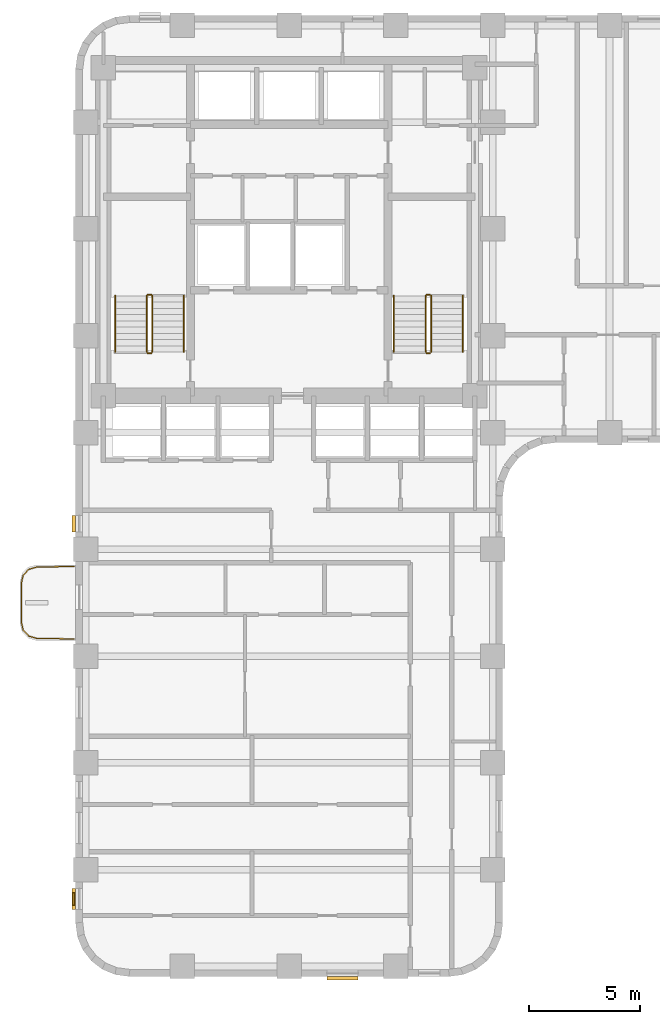
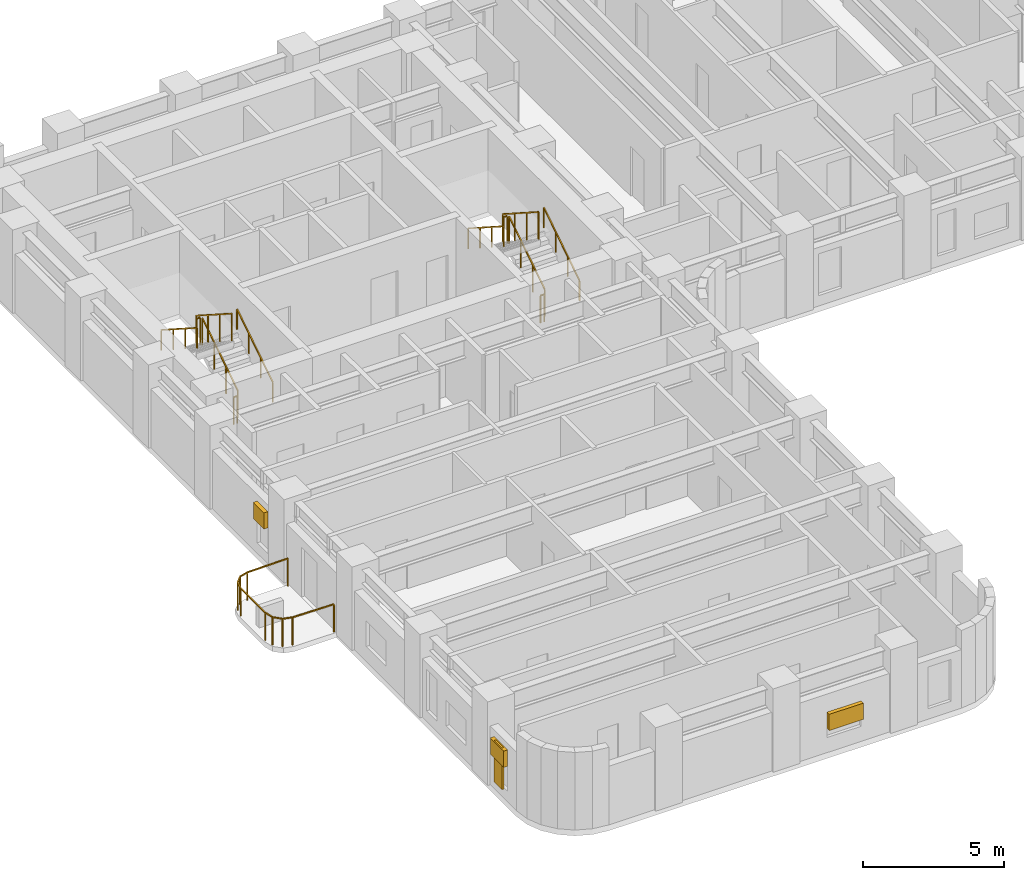
# One storey, part 9 of 11: 13 railings, 4 shading devices.
"""IFC4 building model written with IfcOpenShell, lengths in metres."""

from ifc_helpers import new_model, si_unit, direction, frame, origin, origin_2d, place, context, subcontext, project, spatial, rectangle, extrude, material, type_object, element, save


model = new_model("IFC4")

# Units and contexts
model_context = context("Model", 3, precision=1e-05, world=origin(), true_north=direction((0.0, 1.0)))
body_context = subcontext(model_context, "Body", "Model", "MODEL_VIEW")
ifc_project = project(units=[si_unit("LENGTHUNIT", "METRE"), si_unit("AREAUNIT", "SQUARE_METRE"), si_unit("VOLUMEUNIT", "CUBIC_METRE"), si_unit("PLANEANGLEUNIT", "RADIAN"), si_unit("MASSUNIT", "GRAM", prefix="KILO")], contexts=[model_context])

# Site, building, storey
site_placement = place(None, origin())
site = spatial("IfcSite", under=ifc_project, at=site_placement, CompositionType="ELEMENT")
building_placement = place(site_placement, origin())
building = spatial("IfcBuilding", under=site, at=building_placement, Name="Orvandelia Arch Residences", CompositionType="ELEMENT")
storey_placement = place(building_placement, frame((0.0, 0.0, 82.60009765625)))
storey = spatial("IfcBuildingStorey", under=building, at=storey_placement, Name="L21", CompositionType="ELEMENT", Elevation=82.60009765625)

# Railings
ifc_material_1 = material(Name="Marine-Grade Stainless Steel 316", Category="steel")
railing_type_1 = type_object("IfcRailingType", Name="GRD-BAL-1200", PredefinedType="BALUSTRADE", material=ifc_material_1)
railing_1_placement = place(storey_placement, frame((4.728271484375, 23.23046875, 0.0)))
element("IfcRailing", 1, at=railing_1_placement, inside=storey, type_object=railing_type_1, Name="Safety Balustrade Guard GRD-L21-BAL-L21-W1-1", PredefinedType="BALUSTRADE", context=body_context, shape_type="SweptSolid", body=[
    extrude(rectangle(XDim=0.048095703125, YDim=0.048095703125, at=origin_2d()), frame((0.0, 0.0, 1.19580078125), z_axis=(-0.999834751713, -0.018178813668, 0.0), x_axis=(0.018178813668, -0.999834751713, 0.0)), (0.0, 0.0, 1.0), 1.6787109375),
    extrude(rectangle(XDim=0.048095703125, YDim=0.048095703125, at=origin_2d()), frame((-1.678466796875, -0.030517578125, 1.19580078125), z_axis=(-0.96348920644, -0.267747173792, 0.0), x_axis=(0.267747173792, -0.96348920644, 0.0)), (0.0, 0.0, 1.0), 0.36572265625),
    extrude(rectangle(XDim=0.048095703125, YDim=0.048095703125, at=origin_2d()), frame((-2.03076171875, -0.12841796875, 1.19580078125), z_axis=(-0.688627404251, -0.725115368831, 0.0), x_axis=(0.725115368831, -0.688627404251, 0.0)), (0.0, 0.0, 1.0), 0.367919921875),
    extrude(rectangle(XDim=0.048095703125, YDim=0.048095703125, at=origin_2d()), frame((-2.2841796875, -0.395263671875, 1.19580078125), z_axis=(-0.220461657419, -0.975395641577, 0.0), x_axis=(0.975395641577, -0.220461657419, 0.0)), (0.0, 0.0, 1.0), 0.373291015625),
    extrude(rectangle(XDim=0.048095703125, YDim=0.048095703125, at=origin_2d()), frame((-2.366455078125, -0.75927734375, 1.19580078125), z_axis=(0.0, -1.0, 0.0), x_axis=(1.0, 0.0, 0.0)), (0.0, 0.0, 1.0), 1.742431640625),
    extrude(rectangle(XDim=0.048095703125, YDim=0.048095703125, at=origin_2d()), frame((-2.366455078125, -2.501708984375, 1.19580078125), z_axis=(0.220602419982, -0.975363815352, 0.0), x_axis=(0.975363815352, 0.220602419982, 0.0)), (0.0, 0.0, 1.0), 0.373046875),
    extrude(rectangle(XDim=0.048095703125, YDim=0.048095703125, at=origin_2d()), frame((-2.2841796875, -2.865478515625, 1.19580078125), z_axis=(0.688296224633, -0.725429739642, 0.0), x_axis=(0.725429739642, 0.688296224633, 0.0)), (0.0, 0.0, 1.0), 0.3681640625),
    extrude(rectangle(XDim=0.048095703125, YDim=0.048095703125, at=origin_2d()), frame((-2.03076171875, -3.132568359375, 1.19580078125), z_axis=(0.96348920644, -0.267747173792, 0.0), x_axis=(0.267747173792, 0.96348920644, 0.0)), (0.0, 0.0, 1.0), 0.36572265625),
    extrude(rectangle(XDim=0.048095703125, YDim=0.048095703125, at=origin_2d()), frame((-1.678466796875, -3.23046875, 1.19580078125), z_axis=(0.999834751713, -0.018178813668, 0.0), x_axis=(0.018178813668, 0.999834751713, 0.0)), (0.0, 0.0, 1.0), 1.6787109375),
    extrude(rectangle(XDim=0.0419921875, YDim=0.0419921875, at=origin_2d()), origin(), (0.0, 0.0, 1.0), 1.171875),
    extrude(rectangle(XDim=0.0419921875, YDim=0.0419921875, at=origin_2d()), frame((-1.678466796875, -0.030517578125, 0.0)), (0.0, 0.0, 1.0), 1.171875),
    extrude(rectangle(XDim=0.0419921875, YDim=0.0419921875, at=origin_2d()), frame((-2.03076171875, -0.12841796875, 0.0)), (0.0, 0.0, 1.0), 1.171875),
    extrude(rectangle(XDim=0.0419921875, YDim=0.0419921875, at=origin_2d()), frame((-2.2841796875, -0.395263671875, 0.0)), (0.0, 0.0, 1.0), 1.171875),
    extrude(rectangle(XDim=0.0419921875, YDim=0.0419921875, at=origin_2d()), frame((-2.366455078125, -0.75927734375, 0.0)), (0.0, 0.0, 1.0), 1.171875),
    extrude(rectangle(XDim=0.0419921875, YDim=0.0419921875, at=origin_2d()), frame((-2.366455078125, -2.501708984375, 0.0)), (0.0, 0.0, 1.0), 1.171875),
    extrude(rectangle(XDim=0.0419921875, YDim=0.0419921875, at=origin_2d()), frame((-2.2841796875, -2.865478515625, 0.0)), (0.0, 0.0, 1.0), 1.171875),
    extrude(rectangle(XDim=0.0419921875, YDim=0.0419921875, at=origin_2d()), frame((-2.03076171875, -3.132568359375, 0.0)), (0.0, 0.0, 1.0), 1.171875),
    extrude(rectangle(XDim=0.0419921875, YDim=0.0419921875, at=origin_2d()), frame((-1.678466796875, -3.23046875, 0.0)), (0.0, 0.0, 1.0), 1.171875),
    extrude(rectangle(XDim=0.0419921875, YDim=0.0419921875, at=origin_2d()), frame((0.0, -3.260986328125, 0.0)), (0.0, 0.0, 1.0), 1.171875),
])
ifc_material_2 = material(Name="Brushed Stainless Steel 304", Category="steel")
railing_type_2 = type_object("IfcRailingType", Name="RL-STAIR-GD1120", PredefinedType="GUARDRAIL", material=ifc_material_2)
railing_2_placement = place(storey_placement, frame((8.25, 32.8701171875, 0.179931640625)))
element("IfcRailing", 2, at=railing_2_placement, inside=storey, type_object=railing_type_2, Name="L21 ST-1 stair guard 1", PredefinedType="GUARDRAIL", context=body_context, shape_type="SweptSolid", body=[
    extrude(rectangle(XDim=0.048095703125, YDim=0.048095703125, at=origin_2d()), frame((0.0, 0.0, 1.17578125), z_axis=(0.0, 0.841175827307, 0.540761710511), x_axis=(-1.0, 0.0, 0.0)), (0.0, 0.0, 1.0), 2.99560546875),
    extrude(rectangle(XDim=0.0419921875, YDim=0.0419921875, at=origin_2d()), origin(), (0.0, 0.0, 1.0), 1.15185546875),
    extrude(rectangle(XDim=0.0419921875, YDim=0.0419921875, at=origin_2d()), frame((0.0, 0.83984375, 0.5400390625)), (0.0, 0.0, 1.0), 1.15185546875),
    extrude(rectangle(XDim=0.0419921875, YDim=0.0419921875, at=origin_2d()), frame((0.0, 1.679931640625, 1.079833984375)), (0.0, 0.0, 1.0), 1.15185546875),
    extrude(rectangle(XDim=0.0419921875, YDim=0.0419921875, at=origin_2d()), frame((0.0, 2.519775390625, 1.619873046875)), (0.0, 0.0, 1.0), 1.15185546875),
])
railing_3_placement = place(storey_placement, frame((8.199951171875, 35.43994140625, 1.7998046875)))
element("IfcRailing", 3, at=railing_3_placement, inside=storey, type_object=railing_type_2, Name="L21 ST-1 stair guard 2", PredefinedType="GUARDRAIL", context=body_context, shape_type="SweptSolid", body=[
    extrude(rectangle(XDim=0.048095703125, YDim=0.048095703125, at=origin_2d()), frame((0.0, 0.0, 1.17578125), z_axis=(-1.0, 0.0, 0.0), x_axis=(0.0, -1.0, 0.0)), (0.0, 0.0, 1.0), 0.14990234375),
    extrude(rectangle(XDim=0.0419921875, YDim=0.0419921875, at=origin_2d()), origin(), (0.0, 0.0, 1.0), 1.15185546875),
    extrude(rectangle(XDim=0.0419921875, YDim=0.0419921875, at=origin_2d()), frame((-0.14990234375, 0.0, 0.0)), (0.0, 0.0, 1.0), 1.15185546875),
])
railing_4_placement = place(storey_placement, frame((8.0, 35.389892578125, 1.97998046875)))
element("IfcRailing", 4, at=railing_4_placement, inside=storey, type_object=railing_type_2, Name="L21 ST-1 stair guard 3", PredefinedType="GUARDRAIL", context=body_context, shape_type="SweptSolid", body=[
    extrude(rectangle(XDim=0.048095703125, YDim=0.048095703125, at=origin_2d()), frame((0.0, 0.0, 1.17578125), z_axis=(0.0, -0.841175827307, 0.540761710511), x_axis=(1.0, 0.0, 0.0)), (0.0, 0.0, 1.0), 2.99560546875),
    extrude(rectangle(XDim=0.0419921875, YDim=0.0419921875, at=origin_2d()), origin(), (0.0, 0.0, 1.0), 1.15185546875),
    extrude(rectangle(XDim=0.0419921875, YDim=0.0419921875, at=origin_2d()), frame((0.0, -0.83984375, 0.5400390625)), (0.0, 0.0, 1.0), 1.15185546875),
    extrude(rectangle(XDim=0.0419921875, YDim=0.0419921875, at=origin_2d()), frame((0.0, -1.679931640625, 1.079833984375)), (0.0, 0.0, 1.0), 1.15185546875),
    extrude(rectangle(XDim=0.0419921875, YDim=0.0419921875, at=origin_2d()), frame((0.0, -2.519775390625, 1.619873046875)), (0.0, 0.0, 1.0), 1.15185546875),
])
railing_5_placement = place(storey_placement, frame((8.199951171875, 32.820068359375, 0.0)))
element("IfcRailing", 5, at=railing_5_placement, inside=storey, type_object=railing_type_2, Name="L21 ST-1 stair guard 4", PredefinedType="GUARDRAIL", context=body_context, shape_type="SweptSolid", body=[
    extrude(rectangle(XDim=0.048095703125, YDim=0.048095703125, at=origin_2d()), frame((0.0, 0.0, 1.17578125), z_axis=(-1.0, 0.0, 0.0), x_axis=(0.0, -1.0, 0.0)), (0.0, 0.0, 1.0), 0.14990234375),
    extrude(rectangle(XDim=0.0419921875, YDim=0.0419921875, at=origin_2d()), origin(), (0.0, 0.0, 1.0), 1.15185546875),
    extrude(rectangle(XDim=0.0419921875, YDim=0.0419921875, at=origin_2d()), frame((-0.14990234375, 0.0, 0.0)), (0.0, 0.0, 1.0), 1.15185546875),
])
railing_6_placement = place(storey_placement, frame((20.780029296875, 32.8701171875, 0.179931640625)))
element("IfcRailing", 6, at=railing_6_placement, inside=storey, type_object=railing_type_2, Name="L21 ST-2 stair guard 1", PredefinedType="GUARDRAIL", context=body_context, shape_type="SweptSolid", body=[
    extrude(rectangle(XDim=0.048095703125, YDim=0.048095703125, at=origin_2d()), frame((0.0, 0.0, 1.17578125), z_axis=(0.0, 0.841175827307, 0.540761710511), x_axis=(-1.0, 0.0, 0.0)), (0.0, 0.0, 1.0), 2.99560546875),
    extrude(rectangle(XDim=0.0419921875, YDim=0.0419921875, at=origin_2d()), origin(), (0.0, 0.0, 1.0), 1.15185546875),
    extrude(rectangle(XDim=0.0419921875, YDim=0.0419921875, at=origin_2d()), frame((0.0, 0.83984375, 0.5400390625)), (0.0, 0.0, 1.0), 1.15185546875),
    extrude(rectangle(XDim=0.0419921875, YDim=0.0419921875, at=origin_2d()), frame((0.0, 1.679931640625, 1.079833984375)), (0.0, 0.0, 1.0), 1.15185546875),
    extrude(rectangle(XDim=0.0419921875, YDim=0.0419921875, at=origin_2d()), frame((0.0, 2.519775390625, 1.619873046875)), (0.0, 0.0, 1.0), 1.15185546875),
])
railing_7_placement = place(storey_placement, frame((20.72998046875, 35.43994140625, 1.7998046875)))
element("IfcRailing", 7, at=railing_7_placement, inside=storey, type_object=railing_type_2, Name="L21 ST-2 stair guard 2", PredefinedType="GUARDRAIL", context=body_context, shape_type="SweptSolid", body=[
    extrude(rectangle(XDim=0.048095703125, YDim=0.048095703125, at=origin_2d()), frame((0.0, 0.0, 1.17578125), z_axis=(-1.0, 0.0, 0.0), x_axis=(0.0, -1.0, 0.0)), (0.0, 0.0, 1.0), 0.14990234375),
    extrude(rectangle(XDim=0.0419921875, YDim=0.0419921875, at=origin_2d()), origin(), (0.0, 0.0, 1.0), 1.15185546875),
    extrude(rectangle(XDim=0.0419921875, YDim=0.0419921875, at=origin_2d()), frame((-0.14990234375, 0.0, 0.0)), (0.0, 0.0, 1.0), 1.15185546875),
])
railing_8_placement = place(storey_placement, frame((20.530029296875, 35.389892578125, 1.97998046875)))
element("IfcRailing", 8, at=railing_8_placement, inside=storey, type_object=railing_type_2, Name="L21 ST-2 stair guard 3", PredefinedType="GUARDRAIL", context=body_context, shape_type="SweptSolid", body=[
    extrude(rectangle(XDim=0.048095703125, YDim=0.048095703125, at=origin_2d()), frame((0.0, 0.0, 1.17578125), z_axis=(0.0, -0.841175827307, 0.540761710511), x_axis=(1.0, 0.0, 0.0)), (0.0, 0.0, 1.0), 2.99560546875),
    extrude(rectangle(XDim=0.0419921875, YDim=0.0419921875, at=origin_2d()), origin(), (0.0, 0.0, 1.0), 1.15185546875),
    extrude(rectangle(XDim=0.0419921875, YDim=0.0419921875, at=origin_2d()), frame((0.0, -0.83984375, 0.5400390625)), (0.0, 0.0, 1.0), 1.15185546875),
    extrude(rectangle(XDim=0.0419921875, YDim=0.0419921875, at=origin_2d()), frame((0.0, -1.679931640625, 1.079833984375)), (0.0, 0.0, 1.0), 1.15185546875),
    extrude(rectangle(XDim=0.0419921875, YDim=0.0419921875, at=origin_2d()), frame((0.0, -2.519775390625, 1.619873046875)), (0.0, 0.0, 1.0), 1.15185546875),
])
railing_9_placement = place(storey_placement, frame((20.72998046875, 32.820068359375, 0.0)))
element("IfcRailing", 9, at=railing_9_placement, inside=storey, type_object=railing_type_2, Name="L21 ST-2 stair guard 4", PredefinedType="GUARDRAIL", context=body_context, shape_type="SweptSolid", body=[
    extrude(rectangle(XDim=0.048095703125, YDim=0.048095703125, at=origin_2d()), frame((0.0, 0.0, 1.17578125), z_axis=(-1.0, 0.0, 0.0), x_axis=(0.0, -1.0, 0.0)), (0.0, 0.0, 1.0), 0.14990234375),
    extrude(rectangle(XDim=0.0419921875, YDim=0.0419921875, at=origin_2d()), origin(), (0.0, 0.0, 1.0), 1.15185546875),
    extrude(rectangle(XDim=0.0419921875, YDim=0.0419921875, at=origin_2d()), frame((-0.14990234375, 0.0, 0.0)), (0.0, 0.0, 1.0), 1.15185546875),
])
railing_type_3 = type_object("IfcRailingType", Name="RL-STAIR-HR920", PredefinedType="HANDRAIL", material=ifc_material_2)
railing_10_placement = place(storey_placement, frame((9.669921875, 32.8701171875, 0.35986328125)))
element("IfcRailing", 10, at=railing_10_placement, inside=storey, type_object=railing_type_3, Name="L21 ST-1 stair handrail 1", PredefinedType="HANDRAIL", context=body_context, shape_type="SweptSolid", body=[
    extrude(rectangle(XDim=0.048095703125, YDim=0.048095703125, at=origin_2d()), frame((0.0, 0.0, 0.8759765625), z_axis=(0.0, 0.841138753965, 0.540819375188), x_axis=(-1.0, 0.0, 0.0)), (0.0, 0.0, 1.0), 2.99560546875),
    extrude(rectangle(XDim=0.0419921875, YDim=0.0419921875, at=origin_2d()), origin(), (0.0, 0.0, 1.0), 0.851806640625),
    extrude(rectangle(XDim=0.0419921875, YDim=0.0419921875, at=origin_2d()), frame((0.0, 0.83984375, 0.5400390625)), (0.0, 0.0, 1.0), 0.851806640625),
    extrude(rectangle(XDim=0.0419921875, YDim=0.0419921875, at=origin_2d()), frame((0.0, 1.679931640625, 1.080078125)), (0.0, 0.0, 1.0), 0.851806640625),
    extrude(rectangle(XDim=0.0419921875, YDim=0.0419921875, at=origin_2d()), frame((0.0, 2.519775390625, 1.6201171875)), (0.0, 0.0, 1.0), 0.851806640625),
])
railing_11_placement = place(storey_placement, frame((6.580078125, 35.389892578125, 2.159912109375)))
element("IfcRailing", 11, at=railing_11_placement, inside=storey, type_object=railing_type_3, Name="L21 ST-1 stair handrail 2", PredefinedType="HANDRAIL", context=body_context, shape_type="SweptSolid", body=[
    extrude(rectangle(XDim=0.048095703125, YDim=0.048095703125, at=origin_2d()), frame((0.0, 0.0, 0.8759765625), z_axis=(0.0, -0.841175827307, 0.540761710511), x_axis=(1.0, 0.0, 0.0)), (0.0, 0.0, 1.0), 2.99560546875),
    extrude(rectangle(XDim=0.0419921875, YDim=0.0419921875, at=origin_2d()), origin(), (0.0, 0.0, 1.0), 0.851806640625),
    extrude(rectangle(XDim=0.0419921875, YDim=0.0419921875, at=origin_2d()), frame((0.0, -0.83984375, 0.5400390625)), (0.0, 0.0, 1.0), 0.851806640625),
    extrude(rectangle(XDim=0.0419921875, YDim=0.0419921875, at=origin_2d()), frame((0.0, -1.679931640625, 1.079833984375)), (0.0, 0.0, 1.0), 0.851806640625),
    extrude(rectangle(XDim=0.0419921875, YDim=0.0419921875, at=origin_2d()), frame((0.0, -2.519775390625, 1.619873046875)), (0.0, 0.0, 1.0), 0.851806640625),
])
railing_12_placement = place(storey_placement, frame((22.199951171875, 32.8701171875, 0.35986328125)))
element("IfcRailing", 12, at=railing_12_placement, inside=storey, type_object=railing_type_3, Name="L21 ST-2 stair handrail 1", PredefinedType="HANDRAIL", context=body_context, shape_type="SweptSolid", body=[
    extrude(rectangle(XDim=0.048095703125, YDim=0.048095703125, at=origin_2d()), frame((0.0, 0.0, 0.8759765625), z_axis=(0.0, 0.841138753965, 0.540819375188), x_axis=(-1.0, 0.0, 0.0)), (0.0, 0.0, 1.0), 2.99560546875),
    extrude(rectangle(XDim=0.0419921875, YDim=0.0419921875, at=origin_2d()), origin(), (0.0, 0.0, 1.0), 0.851806640625),
    extrude(rectangle(XDim=0.0419921875, YDim=0.0419921875, at=origin_2d()), frame((0.0, 0.83984375, 0.5400390625)), (0.0, 0.0, 1.0), 0.851806640625),
    extrude(rectangle(XDim=0.0419921875, YDim=0.0419921875, at=origin_2d()), frame((0.0, 1.679931640625, 1.080078125)), (0.0, 0.0, 1.0), 0.851806640625),
    extrude(rectangle(XDim=0.0419921875, YDim=0.0419921875, at=origin_2d()), frame((0.0, 2.519775390625, 1.6201171875)), (0.0, 0.0, 1.0), 0.851806640625),
])
railing_13_placement = place(storey_placement, frame((19.110107421875, 35.389892578125, 2.159912109375)))
element("IfcRailing", 13, at=railing_13_placement, inside=storey, type_object=railing_type_3, Name="L21 ST-2 stair handrail 2", PredefinedType="HANDRAIL", context=body_context, shape_type="SweptSolid", body=[
    extrude(rectangle(XDim=0.048095703125, YDim=0.048095703125, at=origin_2d()), frame((0.0, 0.0, 0.8759765625), z_axis=(0.0, -0.841175827307, 0.540761710511), x_axis=(1.0, 0.0, 0.0)), (0.0, 0.0, 1.0), 2.99560546875),
    extrude(rectangle(XDim=0.0419921875, YDim=0.0419921875, at=origin_2d()), origin(), (0.0, 0.0, 1.0), 0.851806640625),
    extrude(rectangle(XDim=0.0419921875, YDim=0.0419921875, at=origin_2d()), frame((0.0, -0.83984375, 0.5400390625)), (0.0, 0.0, 1.0), 0.851806640625),
    extrude(rectangle(XDim=0.0419921875, YDim=0.0419921875, at=origin_2d()), frame((0.0, -1.679931640625, 1.079833984375)), (0.0, 0.0, 1.0), 0.851806640625),
    extrude(rectangle(XDim=0.0419921875, YDim=0.0419921875, at=origin_2d()), frame((0.0, -2.519775390625, 1.619873046875)), (0.0, 0.0, 1.0), 0.851806640625),
])

# Shading devices
ifc_material_3 = material(Name="Anodised Champagne-Bronze Extruded Aluminium", Category="aluminium")
shading_device_type_1 = type_object("IfcShadingDeviceType", Name="SHD-JALOUSIE-SCREEN", PredefinedType="JALOUSIE", material=ifc_material_3)
shading_device_1_placement = place(storey_placement, frame((16.800048828125, 4.719970703125, 1.0498046875), z_axis=(0.0, 0.0, 1.0), x_axis=(-1.0, 0.0, 0.0)))
element("IfcShadingDevice", 14, at=shading_device_1_placement, inside=storey, type_object=shading_device_type_1, Name="Bronze Jalousie Sun-Shade L21-008", PredefinedType="JALOUSIE", context=body_context, shape_type="SweptSolid", body=[
    extrude(rectangle(XDim=1.39990234375, YDim=0.159912109375, at=origin_2d()), origin(), (0.0, 0.0, 1.0), 0.699951171875),
])
shading_device_2_placement = place(storey_placement, frame((4.719970703125, 8.285888671875, 1.5498046875), z_axis=(0.0, 0.0, 1.0), x_axis=(0.0, 1.0, 0.0)))
element("IfcShadingDevice", 15, at=shading_device_2_placement, inside=storey, type_object=shading_device_type_1, Name="Bronze Jalousie Sun-Shade L21-009", PredefinedType="JALOUSIE", context=body_context, shape_type="SweptSolid", body=[
    extrude(rectangle(XDim=0.949951171875, YDim=0.159912109375, at=origin_2d()), origin(), (0.0, 0.0, 1.0), 0.699951171875),
])
shading_device_3_placement = place(storey_placement, frame((4.719970703125, 25.155029296875, 1.5498046875), z_axis=(0.0, 0.0, 1.0), x_axis=(0.0, 1.0, 0.0)))
element("IfcShadingDevice", 16, at=shading_device_3_placement, inside=storey, type_object=shading_device_type_1, Name="Bronze Jalousie Sun-Shade L21-010", PredefinedType="JALOUSIE", context=body_context, shape_type="SweptSolid", body=[
    extrude(rectangle(XDim=0.75, YDim=0.159912109375, at=origin_2d()), origin(), (0.0, 0.0, 1.0), 0.699951171875),
])
ifc_material_4 = material(Name="Marine-Grade Perforated Aluminium Storm Shutter", Category="aluminium")
shading_device_type_2 = type_object("IfcShadingDeviceType", Name="SHD-STORM-SHUTTER", PredefinedType="SHUTTER", material=ifc_material_4)
shading_device_4_placement = place(storey_placement, frame((4.719970703125, 8.285888671875, 0.44970703125), z_axis=(0.0, 0.0, 1.0), x_axis=(0.0, 1.0, 0.0)))
element("IfcShadingDevice", 17, at=shading_device_4_placement, inside=storey, type_object=shading_device_type_2, Name="Operable Typhoon Storm Shutter L21-009", PredefinedType="SHUTTER", context=body_context, shape_type="SweptSolid", body=[
    extrude(rectangle(XDim=0.550048828125, YDim=0.080078125, at=origin_2d()), origin(), (0.0, 0.0, 1.0), 1.800048828125),
])

save(model, "model.ifc")
